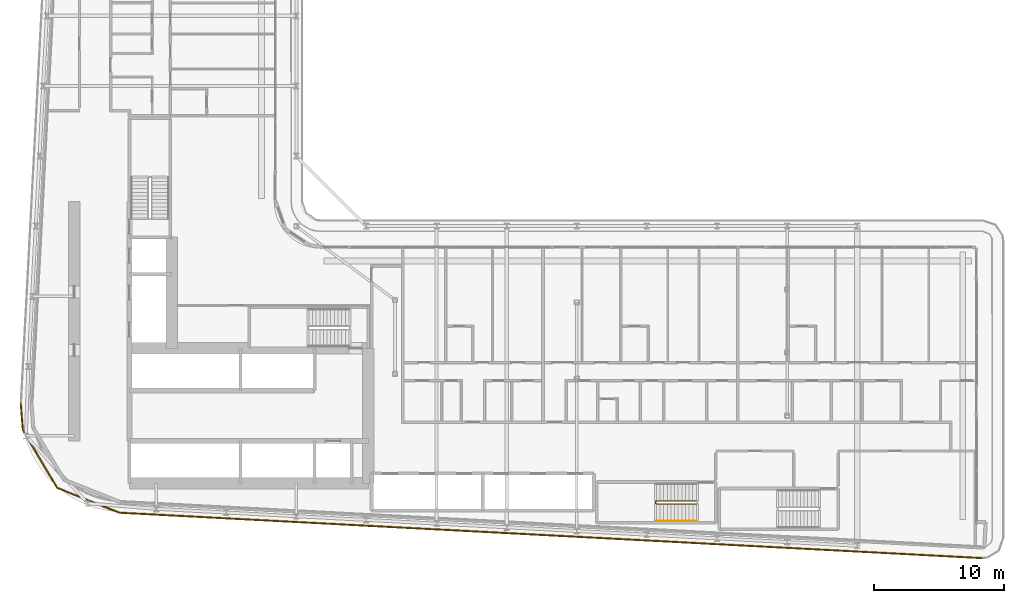
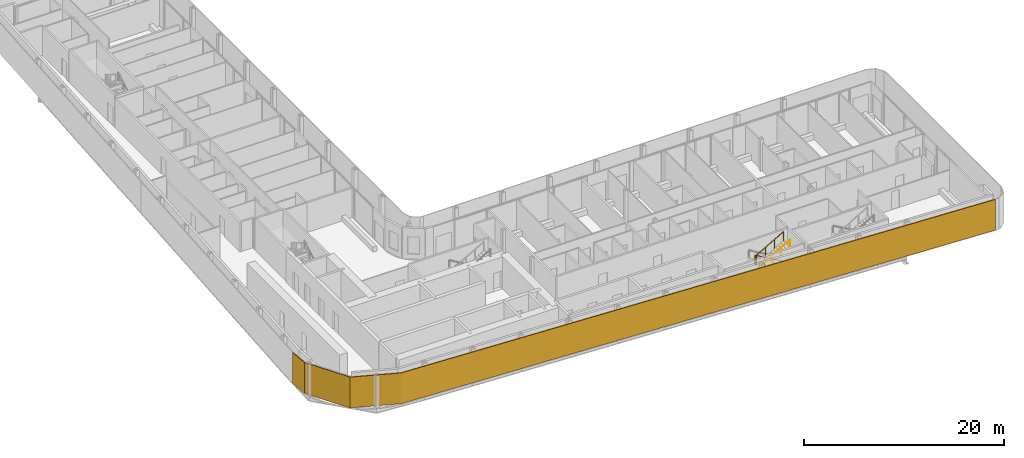
# One storey, part 25 of 29: 2 railings, 1 shading device.
"""IFC4 building model written with IfcOpenShell, lengths in metres."""

from ifc_helpers import new_model, si_unit, direction, frame, origin, origin_2d, place, context, subcontext, project, spatial, polyline, circle, outline, extrude, material, layer, layer_set, type_object, element, save


model = new_model("IFC4")

# Units and contexts
model_context = context("Model", 3, precision=1e-05, world=origin(), true_north=direction((0.0, 1.0)))
body_context = subcontext(model_context, "Body", "Model", "MODEL_VIEW")
ifc_project = project(units=[si_unit("LENGTHUNIT", "METRE"), si_unit("AREAUNIT", "SQUARE_METRE"), si_unit("VOLUMEUNIT", "CUBIC_METRE"), si_unit("PLANEANGLEUNIT", "RADIAN"), si_unit("MASSUNIT", "GRAM", prefix="KILO")], contexts=[model_context])

# Site, building, storey
site_placement = place(None, origin())
site = spatial("IfcSite", under=ifc_project, at=site_placement, CompositionType="ELEMENT")
building_placement = place(site_placement, origin())
building = spatial("IfcBuilding", under=site, at=building_placement, Name="Kheshtan School and Residences Tower", CompositionType="ELEMENT")
storey_placement = place(building_placement, frame((0.0, 0.0, 117.5)))
storey = spatial("IfcBuildingStorey", under=building, at=storey_placement, Name="L27", CompositionType="ELEMENT", Elevation=117.5)

# Shading device
ifc_material_1 = material(Name="Terracotta baguette, extruded ceramic", Category="masonry")
ifc_layer = layer(ifc_material_1, 0.10009765625)
ifc_layer_set = layer_set([ifc_layer], Name="Ledge screen, terracotta baguettes")
shading_device_type = type_object("IfcShadingDeviceType", Name="Ledge screen, terracotta baguettes", PredefinedType="USERDEFINED", material=ifc_layer_set)
shading_device_placement = place(storey_placement, origin())
element("IfcShadingDevice", 1, at=shading_device_placement, inside=storey, type_object=shading_device_type, Name="Screen L27 3", ObjectType="BAGUETTE", PredefinedType="USERDEFINED", context=body_context, shape_type="SweptSolid", body=[
    extrude(outline(polyline([(100.4208984375, 20.0830078125), (33.989013671875, 23.580078125), (29.2119140625, 25.486083984375), (26.583984375, 29.906982421875), (26.419921875, 31.989013671875), (26.320068359375, 31.98095703125), (26.486083984375, 29.8759765625), (29.14306640625, 25.406005859375), (33.967041015625, 23.48095703125), (100.416015625, 19.98291015625), (100.4208984375, 20.0830078125)])), origin(), (0.0, 0.0, 1.0), 3.75),
])

# Railings
ifc_material_2 = material(Name="Stainless steel balustrade", Category="steel")
railing_type_1 = type_object("IfcRailingType", Name="Stair guard 1100", PredefinedType="GUARDRAIL", material=ifc_material_2)
railing_1_placement = place(storey_placement, frame((78.409912109375, 24.449951171875, 0.16259765625)))
element("IfcRailing", 2, at=railing_1_placement, inside=storey, type_object=railing_type_1, Name="L27 ST5 stair guard 1", PredefinedType="GUARDRAIL", context=body_context, shape_type="SweptSolid", body=[
    extrude(circle(Radius=0.02392578125, at=origin_2d()), frame((0.0, 0.0, 1.076171875), z_axis=(-0.864903211148, 0.0, 0.501938676878), x_axis=(0.0, -1.0, 0.0)), (0.0, 0.0, 1.0), 3.560791015625),
    extrude(circle(Radius=0.02392578125, at=origin_2d()), frame((-3.079833984375, 0.0, 2.86328125), z_axis=(-0.707106781187, -0.707106781187, 0.0), x_axis=(0.707106781187, -0.707106781187, 0.0)), (0.0, 0.0, 1.0), 0.07080078125),
    extrude(circle(Radius=0.02392578125, at=origin_2d()), frame((-3.1298828125, -0.050048828125, 2.86328125), z_axis=(0.0, -1.0, 0.0), x_axis=(1.0, 0.0, 0.0)), (0.0, 0.0, 1.0), 0.14990234375),
    extrude(circle(Radius=0.02392578125, at=origin_2d()), frame((-3.1298828125, -0.199951171875, 2.86328125), z_axis=(0.282227285176, -0.282227285176, 0.916894497205), x_axis=(0.707106781187, 0.707106781187, 0.0)), (0.0, 0.0, 1.0), 0.17724609375),
    extrude(circle(Radius=0.02392578125, at=origin_2d()), frame((-3.079833984375, -0.25, 3.02587890625), z_axis=(0.864903211148, 0.0, 0.501938676878), x_axis=(0.0, 1.0, 0.0)), (0.0, 0.0, 1.0), 3.560791015625),
    extrude(circle(Radius=0.02099609375, at=origin_2d()), origin(), (0.0, 0.0, 1.0), 1.052001953125),
    extrude(circle(Radius=0.02099609375, at=origin_2d()), frame((-1.026611328125, 0.0, 0.595703125)), (0.0, 0.0, 1.0), 1.052001953125),
    extrude(circle(Radius=0.02099609375, at=origin_2d()), frame((-2.05322265625, 0.0, 1.191650390625)), (0.0, 0.0, 1.0), 1.052001953125),
    extrude(circle(Radius=0.02099609375, at=origin_2d()), frame((-3.079833984375, 0.0, 1.787353515625)), (0.0, 0.0, 1.0), 1.052001953125),
    extrude(circle(Radius=0.02099609375, at=origin_2d()), frame((-3.1298828125, -0.050048828125, 1.787353515625)), (0.0, 0.0, 1.0), 1.052001953125),
    extrude(circle(Radius=0.02099609375, at=origin_2d()), frame((-3.1298828125, -0.199951171875, 1.787353515625)), (0.0, 0.0, 1.0), 1.052001953125),
    extrude(circle(Radius=0.02099609375, at=origin_2d()), frame((-3.079833984375, -0.25, 1.949951171875)), (0.0, 0.0, 1.0), 1.052001953125),
    extrude(circle(Radius=0.02099609375, at=origin_2d()), frame((-2.05322265625, -0.25, 2.545654296875)), (0.0, 0.0, 1.0), 1.052001953125),
    extrude(circle(Radius=0.02099609375, at=origin_2d()), frame((-1.026611328125, -0.25, 3.1416015625)), (0.0, 0.0, 1.0), 1.052001953125),
    extrude(circle(Radius=0.02099609375, at=origin_2d()), frame((0.0, -0.25, 3.7373046875)), (0.0, 0.0, 1.0), 1.052001953125),
])
ifc_material_3 = material(Name="Stainless steel handrail", Category="steel")
railing_type_2 = type_object("IfcRailingType", Name="Stair handrail 900", PredefinedType="HANDRAIL", material=ifc_material_3)
railing_2_placement = place(storey_placement, frame((75.330078125, 22.89990234375, 2.112548828125)))
element("IfcRailing", 3, at=railing_2_placement, inside=storey, type_object=railing_type_2, Name="L27 ST5 stair handrail 2", PredefinedType="HANDRAIL", context=body_context, shape_type="SweptSolid", body=[
    extrude(circle(Radius=0.02392578125, at=origin_2d()), frame((0.0, 0.0, 0.8759765625), z_axis=(0.864903211148, 0.0, 0.501938676878), x_axis=(0.0, 1.0, 0.0)), (0.0, 0.0, 1.0), 3.560791015625),
    extrude(circle(Radius=0.02099609375, at=origin_2d()), origin(), (0.0, 0.0, 1.0), 0.851806640625),
    extrude(circle(Radius=0.02099609375, at=origin_2d()), frame((1.026611328125, 0.0, 0.595703125)), (0.0, 0.0, 1.0), 0.851806640625),
    extrude(circle(Radius=0.02099609375, at=origin_2d()), frame((2.05322265625, 0.0, 1.191650390625)), (0.0, 0.0, 1.0), 0.851806640625),
    extrude(circle(Radius=0.02099609375, at=origin_2d()), frame((3.079833984375, 0.0, 1.787353515625)), (0.0, 0.0, 1.0), 0.851806640625),
])

save(model, "model.ifc")
